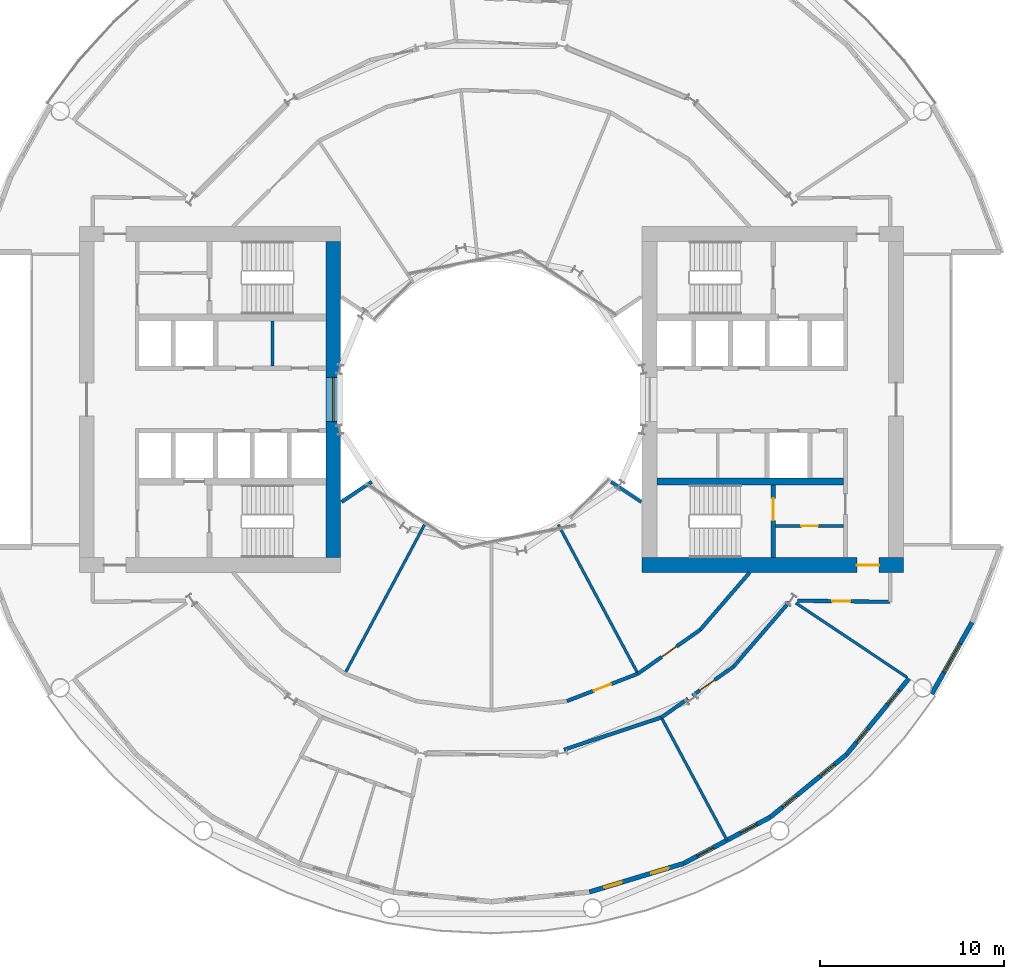
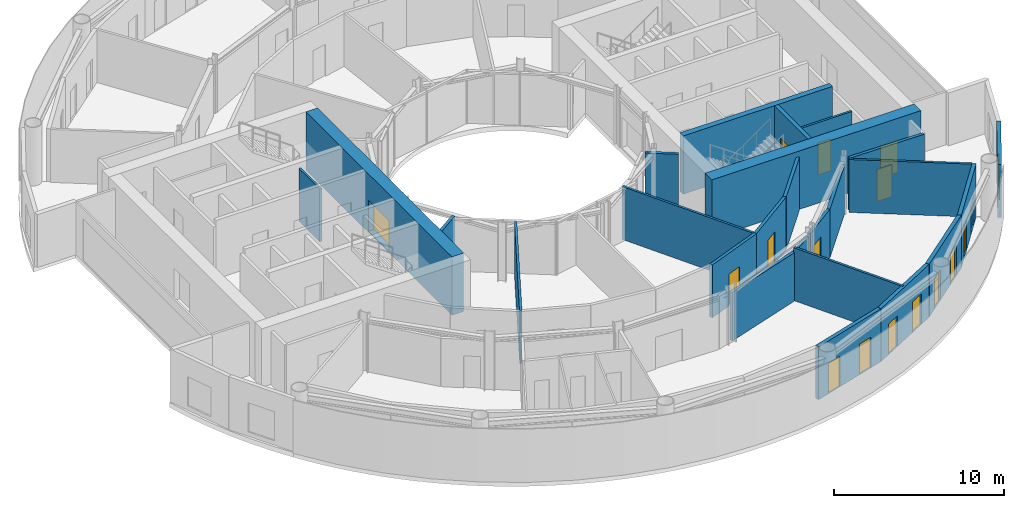
# One storey, part 12 of 19: 25 walls, 15 doors, 2 windows, 17 openings.
"""IFC4 building model written with IfcOpenShell, lengths in metres."""

import ifcopenshell
import ifcopenshell.guid

model = None  # the IFC model being written
_history = None  # IfcOwnerHistory: only IFC2X3 demands one
_inside = {}  # id of a spatial element -> (the spatial element, [elements in it])
_under = {}  # id of a project, library or spatial element -> (it, [spatial elements below it])
_declared = {}  # id of a project -> (the project, [libraries it declares])
_typed = {}  # id of a type object -> (the type object, [elements of that type])
_made_of = {}  # id of a material, layer set ... -> (it, [elements and type objects made of it])


def new_model(schema):
    """Start an empty IFC model of exactly this schema.

    Asked for "IFC4X3", IfcOpenShell would pick the latest addendum, in which some entities
    have other attributes; the version numbers below select the first issue.
    IFC2X3 requires an IfcOwnerHistory on every rooted entity: one is made here for all.
    """
    global model, _history
    if schema == "IFC4X3":
        model = ifcopenshell.file(schema_version=(4, 3, 0, 0))
    else:
        model = ifcopenshell.file(schema=schema)
    _inside.clear()
    _under.clear()
    _declared.clear()
    _typed.clear()
    _made_of.clear()
    _history = None
    if model.schema == "IFC2X3":
        org = make("IfcOrganization", Name="unknown")
        user = make(
            "IfcPersonAndOrganization",
            ThePerson=make("IfcPerson", FamilyName="unknown"),
            TheOrganization=org,
        )
        app = make(
            "IfcApplication",
            ApplicationDeveloper=org,
            Version="unknown",
            ApplicationFullName="unknown",
            ApplicationIdentifier="unknown",
        )
        _history = make(
            "IfcOwnerHistory",
            OwningUser=user,
            OwningApplication=app,
            ChangeAction="ADDED",
            CreationDate=0,
        )
    return model


def make(cls, **values):
    """One entity of the class cls with the attributes given. An attribute that is None is left unset."""
    return model.create_entity(
        cls, **{name: value for name, value in values.items() if value is not None}
    )


def rooted(cls, **values):
    """An entity with a GlobalId (a new one), such as an element, a storey or a relation."""
    return make(cls, GlobalId=ifcopenshell.guid.new(), OwnerHistory=_history, **values)


def si_unit(unit_type, name, prefix=None):
    """IfcSIUnit, for example si_unit("LENGTHUNIT", "METRE", prefix="MILLI")."""
    return make("IfcSIUnit", UnitType=unit_type, Prefix=prefix, Name=name)


def assignment(units):
    """IfcUnitAssignment: the units of a project."""
    return None if units is None else make("IfcUnitAssignment", Units=units)


def point(xyz):
    """IfcCartesianPoint."""
    return None if xyz is None else make("IfcCartesianPoint", Coordinates=xyz)


def direction(xyz):
    """IfcDirection."""
    return None if xyz is None else make("IfcDirection", DirectionRatios=xyz)


def frame(location, z_axis=None, x_axis=None):
    """IfcAxis2Placement3D, a coordinate frame: its origin and axes. An axis left out is left unset."""
    return make(
        "IfcAxis2Placement3D",
        Location=point(location),
        Axis=direction(z_axis),
        RefDirection=direction(x_axis),
    )


def frame_2d(location, x_axis=None):
    """IfcAxis2Placement2D, a coordinate frame in the plane: its origin and x axis."""
    return make(
        "IfcAxis2Placement2D", Location=point(location), RefDirection=direction(x_axis)
    )


def origin():
    """The frame at (0, 0, 0) with its axes left unset."""
    return frame((0.0, 0.0, 0.0))


def place(relative_to, where):
    """IfcLocalPlacement: puts the frame where relative to a parent placement (None: the world)."""
    return make(
        "IfcLocalPlacement", PlacementRelTo=relative_to, RelativePlacement=where
    )


def context(
    kind, dimensions, precision=None, world=None, true_north=None, identifier=None
):
    """IfcGeometricRepresentationContext, for example the 3D "Model" context."""
    return make(
        "IfcGeometricRepresentationContext",
        ContextIdentifier=identifier,
        ContextType=kind,
        CoordinateSpaceDimension=dimensions,
        Precision=precision,
        WorldCoordinateSystem=world,
        TrueNorth=true_north,
    )


def subcontext(parent, identifier, kind, view, scale=None):
    """IfcGeometricRepresentationSubContext, for example "Body" below "Model"."""
    return make(
        "IfcGeometricRepresentationSubContext",
        ContextIdentifier=identifier,
        ContextType=kind,
        ParentContext=parent,
        TargetScale=scale,
        TargetView=view,
    )


def project(units=None, contexts=None):
    """IfcProject with its units and contexts."""
    return rooted(
        "IfcProject",
        Name="project",
        RepresentationContexts=contexts,
        UnitsInContext=assignment(units),
    )


def spatial(cls, under=None, at=None, **own):
    """A site, building, storey or space (cls), placed at a placement, below another one or the project."""
    s = rooted(cls, ObjectPlacement=at, **own)
    if under is not None:
        _under.setdefault(under.id(), (under, []))[1].append(s)
    return s


def profile(cls, at=None, kind="AREA", **sizes):
    """A parametric profile (cls). Its sizes go by their IFC names, for example OverallWidth=200.0."""
    return make(cls, ProfileType=kind, Position=at, **sizes)


def rectangle(**sizes):
    """IfcRectangleProfileDef."""
    return profile("IfcRectangleProfileDef", **sizes)


def extrude(swept, where, along, depth):
    """IfcExtrudedAreaSolid: the profile swept, set in the frame where, extruded along a direction by depth."""
    return make(
        "IfcExtrudedAreaSolid",
        SweptArea=swept,
        Position=where,
        ExtrudedDirection=direction(along),
        Depth=depth,
    )


def shape(context_of_items, identifier, shape_type, items):
    """IfcShapeRepresentation: the items that make up one representation, for example the "Body"."""
    return make(
        "IfcShapeRepresentation",
        ContextOfItems=context_of_items,
        RepresentationIdentifier=identifier,
        RepresentationType=shape_type,
        Items=items,
    )


def material(Name=None, Category=None):
    """IfcMaterial."""
    return make("IfcMaterial", Name=Name, Category=Category)


def layer(
    of_material, thickness, ventilated=None, Name=None, Category=None, Priority=None
):
    """IfcMaterialLayer: one layer of a wall or slab, of a material (None: an air gap)."""
    return make(
        "IfcMaterialLayer",
        Material=of_material,
        LayerThickness=thickness,
        IsVentilated=ventilated,
        Name=Name,
        Category=Category,
        Priority=Priority,
    )


def layer_set(layers, Name=None):
    """IfcMaterialLayerSet."""
    return make("IfcMaterialLayerSet", MaterialLayers=layers, LayerSetName=Name)


def made_of(thing, what):
    """Note that an element or type object is made of a material, layer set ...; save() writes the relation."""
    if what is not None:
        _made_of.setdefault(what.id(), (what, []))[1].append(thing)
    return thing


def type_object(cls, material=None, **own):
    """A type object (cls), such as IfcWallType, which elements share."""
    return made_of(rooted(cls, **own), material)


def element(
    cls,
    number,
    at=None,
    inside=None,
    cuts=None,
    type_object=None,
    material=None,
    context=None,
    identifier="Body",
    shape_type=None,
    held_by="IfcProductDefinitionShape",
    body=None,
    shapes=None,
    **own,
):
    """One element of the class cls, such as IfcWall. Its Tag is "e" and its number.

    at: its placement. inside: the storey or other place that contains it. cuts: it is an
    opening in that element (IfcRelVoidsElement). A single representation is given by context,
    identifier, shape_type and body (its items); several are given by shapes. held_by: the class
    of the entity that holds the representations. save() writes the other relations.
    """
    e = rooted(cls, Tag="e%d" % number, ObjectPlacement=at, **own)
    if body is not None:
        shapes = [shape(context, identifier, shape_type, body)]
    if shapes is not None:
        e.Representation = make(held_by, Representations=shapes)
    if inside is not None:
        _inside.setdefault(inside.id(), (inside, []))[1].append(e)
    if cuts is not None:
        rooted(
            "IfcRelVoidsElement", RelatingBuildingElement=cuts, RelatedOpeningElement=e
        )
    if type_object is not None:
        _typed.setdefault(type_object.id(), (type_object, []))[1].append(e)
    return made_of(e, material)


def fill(opening, filler):
    """IfcRelFillsElement: the door or window that sits in an opening."""
    return rooted(
        "IfcRelFillsElement",
        RelatingOpeningElement=opening,
        RelatedBuildingElement=filler,
    )


def aggregate(whole, parts):
    """IfcRelAggregates: a whole, such as a stair, and the parts it consists of."""
    return rooted("IfcRelAggregates", RelatingObject=whole, RelatedObjects=parts)


def save(model, path):
    """Write the relations noted so far, then the file.

    IfcRelAggregates (storeys below a building ...), IfcRelContainedInSpatialStructure (elements
    in a storey), IfcRelDefinesByType, IfcRelAssociatesMaterial and IfcRelDeclares: one each for
    every whole, place, type object, material and project.
    """
    for whole, parts in _under.values():
        aggregate(whole, parts)
    for where, things in _inside.values():
        rooted(
            "IfcRelContainedInSpatialStructure",
            RelatedElements=things,
            RelatingStructure=where,
        )
    for kind, things in _typed.values():
        rooted("IfcRelDefinesByType", RelatedObjects=things, RelatingType=kind)
    for what, things in _made_of.values():
        rooted("IfcRelAssociatesMaterial", RelatedObjects=things, RelatingMaterial=what)
    for by, libraries in _declared.values():
        rooted("IfcRelDeclares", RelatingContext=by, RelatedDefinitions=libraries)
    model.write(path)


model = new_model("IFC4")

# Units and contexts
model_context = context("Model", 3, precision=1e-05, world=origin(), true_north=direction((0.0, 1.0)))
body_context = subcontext(model_context, "Body", "Model", "MODEL_VIEW")
ifc_project = project(units=[si_unit("LENGTHUNIT", "METRE"), si_unit("AREAUNIT", "SQUARE_METRE"), si_unit("VOLUMEUNIT", "CUBIC_METRE"), si_unit("PLANEANGLEUNIT", "RADIAN"), si_unit("MASSUNIT", "GRAM", prefix="KILO")], contexts=[model_context])

# Site, building, storey
site_placement = place(None, origin())
site = spatial("IfcSite", under=ifc_project, at=site_placement, CompositionType="ELEMENT")
building_placement = place(site_placement, origin())
building = spatial("IfcBuilding", under=site, at=building_placement, Name="Maasbend Ring Residences", CompositionType="ELEMENT")
storey_placement = place(building_placement, frame((0.0, 0.0, 53.300048828125)))
storey = spatial("IfcBuildingStorey", under=building, at=storey_placement, Name="L15", CompositionType="ELEMENT", Elevation=53.300048828125)

# Wall, opening, door
ifc_material_1 = material(Name="Concrete C70/85", Category="concrete")
ifc_layer_1 = layer(ifc_material_1, 0.25)
ifc_layer_set_1 = layer_set([ifc_layer_1], Name="Concrete C70/85")
wall_type_1 = type_object("IfcWallType", Name="CORE WALL 250 C70/85", PredefinedType="SHEAR", material=ifc_layer_set_1)
wall_1_placement = place(storey_placement, frame((15.324951171875, -8.60009765625, 0.0), z_axis=(0.0, 0.0, 1.0), x_axis=(0.0, 1.0, 0.0)))
wall_1 = element("IfcWall", 1, at=wall_1_placement, inside=storey, type_object=wall_type_1, Name="L15 core E wall STES", PredefinedType="SHEAR", context=body_context, shape_type="SweptSolid", body=[
    extrude(rectangle(XDim=3.9501953125, YDim=0.25, at=frame_2d((1.97509765625, 0.0))), origin(), (0.0, 0.0, 1.0), 4.199951171875),
])
opening_1_placement = place(wall_1_placement, frame((2.02490234375, 0.0, 0.0)))
opening_1 = element("IfcOpeningElement", 2, at=opening_1_placement, cuts=wall_1, Name="Opening D-E1511", PredefinedType="OPENING", context=body_context, shape_type="SweptSolid", body=[
    extrude(rectangle(XDim=1.199951171875, YDim=2.300048828125, at=frame_2d((0.60009765625, 1.14990234375))), frame((0.0, 0.135009765625, 0.0), z_axis=(0.0, -1.0, 0.0), x_axis=(1.0, 0.0, 0.0)), (0.0, 0.0, 1.0), 0.27001953125),
])
ifc_material_2 = material(Name="Steel, powder coated", Category="steel")
door_type_1 = type_object("IfcDoorType", Name="STAIR DOOR 1200 X 2300 FD60", OperationType="NOTDEFINED", PredefinedType="DOOR", material=ifc_material_2)
door_1_placement = place(opening_1_placement, origin())
door_1 = element("IfcDoor", 3, at=door_1_placement, inside=storey, type_object=door_type_1, Name="Stair door ST-E L15", OperationType="SINGLE_SWING_LEFT", OverallHeight=2.300048828125, OverallWidth=1.199951171875, PredefinedType="DOOR", context=body_context, shape_type="SweptSolid", body=[
    extrude(rectangle(XDim=1.199951171875, YDim=2.300048828125, at=frame_2d((0.60009765625, 1.14990234375))), frame((0.0, 0.02490234375, 0.0), z_axis=(0.0, -1.0, 0.0), x_axis=(1.0, 0.0, 0.0)), (0.0, 0.0, 1.0), 0.050048828125),
])
fill(opening_1, door_1)

# Wall
ifc_material_3 = material(Name="Concrete C70/85", Category="concrete")
ifc_layer_2 = layer(ifc_material_3, 0.375)
ifc_layer_set_2 = layer_set([ifc_layer_2], Name="Concrete C70/85")
wall_type_2 = type_object("IfcWallType", Name="CORE WALL 375 C70/85", PredefinedType="SHEAR", material=ifc_layer_set_2)
wall_2_placement = place(storey_placement, frame((9.0, -4.46240234375, 0.0), z_axis=(0.0, 0.0, 1.0), x_axis=(1.0, 0.0, 0.0)))
element("IfcWall", 4, at=wall_2_placement, inside=storey, type_object=wall_type_2, Name="L15 core E wall BS", PredefinedType="SHEAR", context=body_context, shape_type="SweptSolid", body=[
    extrude(rectangle(XDim=10.14990234375, YDim=0.375, at=frame_2d((5.074951171875, 0.0))), origin(), (0.0, 0.0, 1.0), 4.199951171875),
])

# Wall, opening, door
ifc_material_4 = material(Name="Concrete C70/85", Category="concrete")
ifc_layer_3 = layer(ifc_material_4, 0.800048828125)
ifc_layer_set_3 = layer_set([ifc_layer_3], Name="Concrete C70/85")
wall_type_3 = type_object("IfcWallType", Name="CORE WALL 800 C70/85", PredefinedType="SHEAR", material=ifc_layer_set_3)
wall_3_placement = place(storey_placement, frame((8.199951171875, -9.0, 0.0), z_axis=(0.0, 0.0, 1.0), x_axis=(1.0, 0.0, 0.0)))
wall_3 = element("IfcWall", 5, at=wall_3_placement, inside=storey, type_object=wall_type_3, Name="L15 core E wall PS", PredefinedType="SHEAR", context=body_context, shape_type="SweptSolid", body=[
    extrude(rectangle(XDim=14.199951171875, YDim=0.800048828125, at=frame_2d((7.10009765625, 0.0))), origin(), (0.0, 0.0, 1.0), 4.199951171875),
])
opening_2_placement = place(wall_3_placement, frame((11.675048828125, 0.0, 0.0)))
opening_2 = element("IfcOpeningElement", 6, at=opening_2_placement, cuts=wall_3, Name="Opening D-E1515", PredefinedType="OPENING", context=body_context, shape_type="SweptSolid", body=[
    extrude(rectangle(XDim=1.199951171875, YDim=2.300048828125, at=frame_2d((0.60009765625, 1.14990234375))), frame((0.0, 0.41015625, 0.0), z_axis=(0.0, -1.0, 0.0), x_axis=(1.0, 0.0, 0.0)), (0.0, 0.0, 1.0), 0.820068359375),
])
ifc_material_5 = material(Name="Steel, powder coated", Category="steel")
door_type_2 = type_object("IfcDoorType", Name="CORRIDOR DOOR 1200 X 2300 FD30S", OperationType="NOTDEFINED", PredefinedType="DOOR", material=ifc_material_5)
door_2_placement = place(opening_2_placement, origin())
door_2 = element("IfcDoor", 7, at=door_2_placement, inside=storey, type_object=door_type_2, Name="Corridor door L15", OperationType="SINGLE_SWING_LEFT", OverallHeight=2.300048828125, OverallWidth=1.199951171875, PredefinedType="DOOR", context=body_context, shape_type="SweptSolid", body=[
    extrude(rectangle(XDim=1.199951171875, YDim=2.300048828125, at=frame_2d((0.60009765625, 1.14990234375))), frame((0.0, 0.02490234375, 0.0), z_axis=(0.0, -1.0, 0.0), x_axis=(1.0, 0.0, 0.0)), (0.0, 0.0, 1.0), 0.050048828125),
])
fill(opening_2, door_2)

# Wall, opening, window
wall_4_placement = place(storey_placement, frame((-8.60009765625, 8.60009765625, 0.0), z_axis=(0.0, 0.0, 1.0), x_axis=(0.0, -1.0, 0.0)))
wall_4 = element("IfcWall", 8, at=wall_4_placement, inside=storey, type_object=wall_type_3, Name="L15 core W wall PIN", PredefinedType="SHEAR", context=body_context, shape_type="SweptSolid", body=[
    extrude(rectangle(XDim=17.2001953125, YDim=0.800048828125, at=frame_2d((8.60009765625, 0.0))), origin(), (0.0, 0.0, 1.0), 4.199951171875),
])
opening_3_placement = place(wall_4_placement, frame((7.39990234375, 0.0, 0.10009765625)))
opening_3 = element("IfcOpeningElement", 9, at=opening_3_placement, cuts=wall_4, Name="Opening W-W1501", PredefinedType="OPENING", context=body_context, shape_type="SweptSolid", body=[
    extrude(rectangle(XDim=2.39990234375, YDim=2.199951171875, at=frame_2d((1.199951171875, 1.10009765625))), frame((0.0, 0.41015625, 0.0), z_axis=(0.0, -1.0, 0.0), x_axis=(1.0, 0.0, 0.0)), (0.0, 0.0, 1.0), 0.820068359375),
])
ifc_material_6 = material(Name="Aluminium frame and clear glass", Category="aluminium")
window_type_1 = type_object("IfcWindowType", Name="FIXED WINDOW 2400 X 2200", PartitioningType="SINGLE_PANEL", PredefinedType="WINDOW", material=ifc_material_6)
window_1_placement = place(opening_3_placement, origin())
window_1 = element("IfcWindow", 10, at=window_1_placement, inside=storey, type_object=window_type_1, Name="Lobby window L15", OverallHeight=2.199951171875, OverallWidth=2.39990234375, PartitioningType="SINGLE_PANEL", PredefinedType="WINDOW", context=body_context, shape_type="SweptSolid", body=[
    extrude(rectangle(XDim=2.39990234375, YDim=2.199951171875, at=frame_2d((1.199951171875, 1.10009765625))), frame((0.0, 0.030029296875, 0.0), z_axis=(0.0, -1.0, 0.0), x_axis=(1.0, 0.0, 0.0)), (0.0, 0.0, 1.0), 0.06005859375),
])
fill(opening_3, window_1)

# Wall
ifc_material_7 = material(Name="Concrete C30/37", Category="concrete")
ifc_layer_4 = layer(ifc_material_7, 0.199951171875)
ifc_layer_set_4 = layer_set([ifc_layer_4], Name="Concrete C30/37")
wall_type_4 = type_object("IfcWallType", Name="CORRIDOR WALL 200 CONCRETE", PredefinedType="PARTITIONING", material=ifc_layer_set_4)
wall_5_placement = place(storey_placement, frame((9.239013671875, -17.285888671875, 0.0), z_axis=(0.0, 0.0, 1.0), x_axis=(0.81766692021, 0.575691590693, 0.0)))
element("IfcWall", 11, at=wall_5_placement, inside=storey, type_object=wall_type_4, Name="U-L15-w007", PredefinedType="PARTITIONING", context=body_context, shape_type="SweptSolid", body=[
    extrude(rectangle(XDim=1.769775390625, YDim=0.199951171875, at=frame_2d((0.884765625, 0.0))), origin(), (0.0, 0.0, 1.0), 3.47998046875),
])

# Wall, opening, door
wall_6_placement = place(storey_placement, frame((10.93505859375, -16.091064453125, 0.0), z_axis=(0.0, 0.0, 1.0), x_axis=(0.817764243714, 0.575553335237, 0.0)))
wall_6 = element("IfcWall", 12, at=wall_6_placement, inside=storey, type_object=wall_type_4, Name="U-L15-w008", PredefinedType="PARTITIONING", context=body_context, shape_type="SweptSolid", body=[
    extrude(rectangle(XDim=2.724609375, YDim=0.199951171875, at=frame_2d((1.3623046875, 0.0))), origin(), (0.0, 0.0, 1.0), 3.47998046875),
])
opening_4_placement = place(wall_6_placement, frame((0.47509765625, 0.0, 0.0)))
opening_4 = element("IfcOpeningElement", 13, at=opening_4_placement, cuts=wall_6, Name="Opening D-1518", PredefinedType="OPENING", context=body_context, shape_type="SweptSolid", body=[
    extrude(rectangle(XDim=1.0, YDim=2.300048828125, at=frame_2d((0.5, 1.14990234375))), frame((0.0, 0.10986328125, 0.0), z_axis=(0.0, -1.0, 0.0), x_axis=(1.0, 0.0, 0.0)), (0.0, 0.0, 1.0), 0.219970703125),
])
ifc_material_8 = material(Name="Timber, painted", Category="wood")
door_type_3 = type_object("IfcDoorType", Name="ROOM DOOR 1000 X 2300", OperationType="NOTDEFINED", PredefinedType="DOOR", material=ifc_material_8)
door_3_placement = place(opening_4_placement, origin())
door_3 = element("IfcDoor", 14, at=door_3_placement, inside=storey, type_object=door_type_3, Name="D-1518", OperationType="SINGLE_SWING_LEFT", OverallHeight=2.300048828125, OverallWidth=1.0, PredefinedType="DOOR", context=body_context, shape_type="SweptSolid", body=[
    extrude(rectangle(XDim=1.0, YDim=2.300048828125, at=frame_2d((0.5, 1.14990234375))), frame((0.0, 0.02490234375, 0.0), z_axis=(0.0, -1.0, 0.0), x_axis=(1.0, 0.0, 0.0)), (0.0, 0.0, 1.0), 0.050048828125),
])
fill(opening_4, door_3)

# Walls
wall_7_placement = place(storey_placement, frame((13.1630859375, -14.52294921875, 0.0), z_axis=(0.0, 0.0, 1.0), x_axis=(0.653087281304, 0.757282644063, 0.0)))
element("IfcWall", 15, at=wall_7_placement, inside=storey, type_object=wall_type_4, Name="U-L15-w009", PredefinedType="PARTITIONING", context=body_context, shape_type="SweptSolid", body=[
    extrude(rectangle(XDim=4.64404296875, YDim=0.199951171875, at=frame_2d((2.322021484375, 0.0))), origin(), (0.0, 0.0, 1.0), 3.47998046875),
])
wall_8_placement = place(storey_placement, frame((3.94189453125, -19.035888671875, 0.0), z_axis=(0.0, 0.0, 1.0), x_axis=(0.949524538902, 0.313692763739, 0.0)))
element("IfcWall", 16, at=wall_8_placement, inside=storey, type_object=wall_type_4, Name="U-L15-w013", PredefinedType="PARTITIONING", context=body_context, shape_type="SweptSolid", body=[
    extrude(rectangle(XDim=5.57861328125, YDim=0.199951171875, at=frame_2d((2.789306640625, 0.0))), origin(), (0.0, 0.0, 1.0), 3.47998046875),
])

# Wall, opening, door
wall_9_placement = place(storey_placement, frame((4.10595703125, -16.39404296875, 0.0), z_axis=(0.0, 0.0, 1.0), x_axis=(0.932943640288, 0.360022449363, 0.0)))
wall_9 = element("IfcWall", 17, at=wall_9_placement, inside=storey, type_object=wall_type_4, Name="U-L15-w019", PredefinedType="PARTITIONING", context=body_context, shape_type="SweptSolid", body=[
    extrude(rectangle(XDim=4.138671875, YDim=0.199951171875, at=frame_2d((2.0693359375, 0.0))), origin(), (0.0, 0.0, 1.0), 3.800048828125),
])
opening_5_placement = place(wall_9_placement, frame((1.569091796875, 0.0, 0.0)))
opening_5 = element("IfcOpeningElement", 18, at=opening_5_placement, cuts=wall_9, Name="Opening D-1521", PredefinedType="OPENING", context=body_context, shape_type="SweptSolid", body=[
    extrude(rectangle(XDim=1.0, YDim=2.300048828125, at=frame_2d((0.5, 1.14990234375))), frame((0.0, 0.10986328125, 0.0), z_axis=(0.0, -1.0, 0.0), x_axis=(1.0, 0.0, 0.0)), (0.0, 0.0, 1.0), 0.219970703125),
])
door_4_placement = place(opening_5_placement, origin())
door_4 = element("IfcDoor", 19, at=door_4_placement, inside=storey, type_object=door_type_3, Name="D-1521", OperationType="SINGLE_SWING_RIGHT", OverallHeight=2.300048828125, OverallWidth=1.0, PredefinedType="DOOR", context=body_context, shape_type="SweptSolid", body=[
    extrude(rectangle(XDim=1.0, YDim=2.300048828125, at=frame_2d((0.5, 1.14990234375))), frame((0.0, 0.02490234375, 0.0), z_axis=(0.0, -1.0, 0.0), x_axis=(1.0, 0.0, 0.0)), (0.0, 0.0, 1.0), 0.050048828125),
])
fill(opening_5, door_4)

wall_10_placement = place(storey_placement, frame((7.967041015625, -14.904052734375, 0.0), z_axis=(0.0, 0.0, 1.0), x_axis=(0.817567680547, 0.575832517079, 0.0)))
wall_10 = element("IfcWall", 20, at=wall_10_placement, inside=storey, type_object=wall_type_4, Name="U-L15-w020", PredefinedType="PARTITIONING", context=body_context, shape_type="SweptSolid", body=[
    extrude(rectangle(XDim=4.13671875, YDim=0.199951171875, at=frame_2d((2.068359375, 0.0))), origin(), (0.0, 0.0, 1.0), 3.800048828125),
])
opening_6_placement = place(wall_10_placement, frame((1.568115234375, 0.0, 0.0)))
opening_6 = element("IfcOpeningElement", 21, at=opening_6_placement, cuts=wall_10, Name="Opening D-1522", PredefinedType="OPENING", context=body_context, shape_type="SweptSolid", body=[
    extrude(rectangle(XDim=1.0, YDim=2.300048828125, at=frame_2d((0.5, 1.14990234375))), frame((0.0, 0.10986328125, 0.0), z_axis=(0.0, -1.0, 0.0), x_axis=(1.0, 0.0, 0.0)), (0.0, 0.0, 1.0), 0.219970703125),
])
door_5_placement = place(opening_6_placement, origin())
door_5 = element("IfcDoor", 22, at=door_5_placement, inside=storey, type_object=door_type_3, Name="D-1522", OperationType="SINGLE_SWING_RIGHT", OverallHeight=2.300048828125, OverallWidth=1.0, PredefinedType="DOOR", context=body_context, shape_type="SweptSolid", body=[
    extrude(rectangle(XDim=1.0, YDim=2.300048828125, at=frame_2d((0.5, 1.14990234375))), frame((0.0, 0.02490234375, 0.0), z_axis=(0.0, -1.0, 0.0), x_axis=(1.0, 0.0, 0.0)), (0.0, 0.0, 1.0), 0.050048828125),
])
fill(opening_6, door_5)

# Wall
wall_11_placement = place(storey_placement, frame((11.34912109375, -12.52197265625, 0.0), z_axis=(0.0, 0.0, 1.0), x_axis=(0.653274518104, 0.757121129012, 0.0)))
element("IfcWall", 23, at=wall_11_placement, inside=storey, type_object=wall_type_4, Name="U-L15-w021", PredefinedType="PARTITIONING", context=body_context, shape_type="SweptSolid", body=[
    extrude(rectangle(XDim=4.12353515625, YDim=0.199951171875, at=frame_2d((2.061767578125, 0.0))), origin(), (0.0, 0.0, 1.0), 3.800048828125),
])

# Wall, opening, door
wall_12_placement = place(storey_placement, frame((16.636962890625, -10.93798828125, 0.0), z_axis=(0.0, 0.0, 1.0), x_axis=(0.99992425795, -0.012307654658, 0.0)))
wall_12 = element("IfcWall", 24, at=wall_12_placement, inside=storey, type_object=wall_type_4, Name="U-L15-w023", PredefinedType="PARTITIONING", context=body_context, shape_type="SweptSolid", body=[
    extrude(rectangle(XDim=5.03857421875, YDim=0.199951171875, at=frame_2d((2.519287109375, 0.0))), origin(), (0.0, 0.0, 1.0), 3.800048828125),
])
opening_7_placement = place(wall_12_placement, frame((1.884033203125, 0.0, 0.0)))
opening_7 = element("IfcOpeningElement", 25, at=opening_7_placement, cuts=wall_12, Name="Opening D-1525", PredefinedType="OPENING", context=body_context, shape_type="SweptSolid", body=[
    extrude(rectangle(XDim=1.0, YDim=2.300048828125, at=frame_2d((0.5, 1.14990234375))), frame((0.0, 0.10986328125, 0.0), z_axis=(0.0, -1.0, 0.0), x_axis=(1.0, 0.0, 0.0)), (0.0, 0.0, 1.0), 0.219970703125),
])
door_6_placement = place(opening_7_placement, origin())
door_6 = element("IfcDoor", 26, at=door_6_placement, inside=storey, type_object=door_type_3, Name="D-1525", OperationType="SINGLE_SWING_LEFT", OverallHeight=2.300048828125, OverallWidth=1.0, PredefinedType="DOOR", context=body_context, shape_type="SweptSolid", body=[
    extrude(rectangle(XDim=1.0, YDim=2.300048828125, at=frame_2d((0.5, 1.14990234375))), frame((0.0, 0.02490234375, 0.0), z_axis=(0.0, -1.0, 0.0), x_axis=(1.0, 0.0, 0.0)), (0.0, 0.0, 1.0), 0.050048828125),
])
fill(opening_7, door_6)

# Wall, openings, doors
ifc_material_9 = material(Name="Aluminium clad insulated panel", Category="aluminium")
ifc_layer_5 = layer(ifc_material_9, 0.25)
ifc_layer_set_5 = layer_set([ifc_layer_5], Name="EW-GL")
wall_type_5 = type_object("IfcWallType", Name="EW-GL", PredefinedType="SOLIDWALL", material=ifc_layer_set_5)
wall_13_placement = place(storey_placement, frame((5.325927734375, -26.77490234375, 0.0), z_axis=(0.0, 0.0, 1.0), x_axis=(0.956965678721, 0.290201119486, 0.0)))
wall_13 = element("IfcWall", 27, at=wall_13_placement, inside=storey, type_object=wall_type_5, Name="External wall S07", PredefinedType="SOLIDWALL", context=body_context, shape_type="SweptSolid", body=[
    extrude(rectangle(XDim=5.351318359375, YDim=0.25, at=frame_2d((2.67578125, 0.0))), origin(), (0.0, 0.0, 1.0), 3.800048828125),
])
opening_8_placement = place(wall_13_placement, frame((0.841064453125, 0.0, 0.0)))
opening_8 = element("IfcOpeningElement", 28, at=opening_8_placement, cuts=wall_13, Name="Opening D-LG", PredefinedType="OPENING", context=body_context, shape_type="SweptSolid", body=[
    extrude(rectangle(XDim=1.0, YDim=2.199951171875, at=frame_2d((0.5, 1.10009765625))), frame((0.0, 0.135009765625, 0.0), z_axis=(0.0, -1.0, 0.0), x_axis=(1.0, 0.0, 0.0)), (0.0, 0.0, 1.0), 0.27001953125),
])
opening_9_placement = place(wall_13_placement, frame((3.510498046875, 0.0, 0.0)))
opening_9 = element("IfcOpeningElement", 29, at=opening_9_placement, cuts=wall_13, Name="Opening D-LG", PredefinedType="OPENING", context=body_context, shape_type="SweptSolid", body=[
    extrude(rectangle(XDim=1.0, YDim=2.199951171875, at=frame_2d((0.5, 1.10009765625))), frame((0.0, 0.135009765625, 0.0), z_axis=(0.0, -1.0, 0.0), x_axis=(1.0, 0.0, 0.0)), (0.0, 0.0, 1.0), 0.27001953125),
])
ifc_material_10 = material(Name="Aluminium and clear glass", Category="aluminium")
door_type_4 = type_object("IfcDoorType", Name="D-LG", OperationType="SINGLE_SWING_LEFT", PredefinedType="DOOR", material=ifc_material_10)
door_7_placement = place(opening_8_placement, origin())
door_7 = element("IfcDoor", 30, at=door_7_placement, inside=storey, type_object=door_type_4, Name="Loggia door S13", OperationType="SINGLE_SWING_LEFT", OverallHeight=2.199951171875, OverallWidth=1.0, PredefinedType="DOOR", context=body_context, shape_type="SweptSolid", body=[
    extrude(rectangle(XDim=1.0, YDim=2.199951171875, at=frame_2d((0.5, 1.10009765625))), frame((0.0, 0.02490234375, 0.0), z_axis=(0.0, -1.0, 0.0), x_axis=(1.0, 0.0, 0.0)), (0.0, 0.0, 1.0), 0.050048828125),
])
fill(opening_8, door_7)
door_8_placement = place(opening_9_placement, origin())
door_8 = element("IfcDoor", 31, at=door_8_placement, inside=storey, type_object=door_type_4, Name="Loggia door S14", OperationType="SINGLE_SWING_LEFT", OverallHeight=2.199951171875, OverallWidth=1.0, PredefinedType="DOOR", context=body_context, shape_type="SweptSolid", body=[
    extrude(rectangle(XDim=1.0, YDim=2.199951171875, at=frame_2d((0.5, 1.10009765625))), frame((0.0, 0.02490234375, 0.0), z_axis=(0.0, -1.0, 0.0), x_axis=(1.0, 0.0, 0.0)), (0.0, 0.0, 1.0), 0.050048828125),
])
fill(opening_9, door_8)

wall_14_placement = place(storey_placement, frame((10.447021484375, -25.221923828125, 0.0), z_axis=(0.0, 0.0, 1.0), x_axis=(0.881915646801, 0.471407246368, 0.0)))
wall_14 = element("IfcWall", 32, at=wall_14_placement, inside=storey, type_object=wall_type_5, Name="External wall S08", PredefinedType="SOLIDWALL", context=body_context, shape_type="SweptSolid", body=[
    extrude(rectangle(XDim=5.35205078125, YDim=0.25, at=frame_2d((2.676025390625, 0.0))), origin(), (0.0, 0.0, 1.0), 3.800048828125),
])
opening_10_placement = place(wall_14_placement, frame((0.841064453125, 0.0, 0.0)))
opening_10 = element("IfcOpeningElement", 33, at=opening_10_placement, cuts=wall_14, Name="Opening D-LG", PredefinedType="OPENING", context=body_context, shape_type="SweptSolid", body=[
    extrude(rectangle(XDim=1.0, YDim=2.199951171875, at=frame_2d((0.5, 1.10009765625))), frame((0.0, 0.135009765625, 0.0), z_axis=(0.0, -1.0, 0.0), x_axis=(1.0, 0.0, 0.0)), (0.0, 0.0, 1.0), 0.27001953125),
])
opening_11_placement = place(wall_14_placement, frame((3.510498046875, 0.0, 0.0)))
opening_11 = element("IfcOpeningElement", 34, at=opening_11_placement, cuts=wall_14, Name="Opening D-LG", PredefinedType="OPENING", context=body_context, shape_type="SweptSolid", body=[
    extrude(rectangle(XDim=1.0, YDim=2.199951171875, at=frame_2d((0.5, 1.10009765625))), frame((0.0, 0.135009765625, 0.0), z_axis=(0.0, -1.0, 0.0), x_axis=(1.0, 0.0, 0.0)), (0.0, 0.0, 1.0), 0.27001953125),
])
door_9_placement = place(opening_10_placement, origin())
door_9 = element("IfcDoor", 35, at=door_9_placement, inside=storey, type_object=door_type_4, Name="Loggia door S15", OperationType="SINGLE_SWING_LEFT", OverallHeight=2.199951171875, OverallWidth=1.0, PredefinedType="DOOR", context=body_context, shape_type="SweptSolid", body=[
    extrude(rectangle(XDim=1.0, YDim=2.199951171875, at=frame_2d((0.5, 1.10009765625))), frame((0.0, 0.02490234375, 0.0), z_axis=(0.0, -1.0, 0.0), x_axis=(1.0, 0.0, 0.0)), (0.0, 0.0, 1.0), 0.050048828125),
])
fill(opening_10, door_9)
door_10_placement = place(opening_11_placement, origin())
door_10 = element("IfcDoor", 36, at=door_10_placement, inside=storey, type_object=door_type_4, Name="Loggia door S16", OperationType="SINGLE_SWING_LEFT", OverallHeight=2.199951171875, OverallWidth=1.0, PredefinedType="DOOR", context=body_context, shape_type="SweptSolid", body=[
    extrude(rectangle(XDim=1.0, YDim=2.199951171875, at=frame_2d((0.5, 1.10009765625))), frame((0.0, 0.02490234375, 0.0), z_axis=(0.0, -1.0, 0.0), x_axis=(1.0, 0.0, 0.0)), (0.0, 0.0, 1.0), 0.050048828125),
])
fill(opening_11, door_10)

wall_15_placement = place(storey_placement, frame((15.1669921875, -22.698974609375, 0.0), z_axis=(0.0, 0.0, 1.0), x_axis=(0.773019449054, 0.634382322723, 0.0)))
wall_15 = element("IfcWall", 37, at=wall_15_placement, inside=storey, type_object=wall_type_5, Name="External wall S09", PredefinedType="SOLIDWALL", context=body_context, shape_type="SweptSolid", body=[
    extrude(rectangle(XDim=5.351806640625, YDim=0.25, at=frame_2d((2.67578125, 0.0))), origin(), (0.0, 0.0, 1.0), 3.800048828125),
])
opening_12_placement = place(wall_15_placement, frame((0.841064453125, 0.0, 0.0)))
opening_12 = element("IfcOpeningElement", 38, at=opening_12_placement, cuts=wall_15, Name="Opening D-LG", PredefinedType="OPENING", context=body_context, shape_type="SweptSolid", body=[
    extrude(rectangle(XDim=1.0, YDim=2.199951171875, at=frame_2d((0.5, 1.10009765625))), frame((0.0, 0.135009765625, 0.0), z_axis=(0.0, -1.0, 0.0), x_axis=(1.0, 0.0, 0.0)), (0.0, 0.0, 1.0), 0.27001953125),
])
opening_13_placement = place(wall_15_placement, frame((3.510498046875, 0.0, 0.0)))
opening_13 = element("IfcOpeningElement", 39, at=opening_13_placement, cuts=wall_15, Name="Opening D-LG", PredefinedType="OPENING", context=body_context, shape_type="SweptSolid", body=[
    extrude(rectangle(XDim=1.0, YDim=2.199951171875, at=frame_2d((0.5, 1.10009765625))), frame((0.0, 0.135009765625, 0.0), z_axis=(0.0, -1.0, 0.0), x_axis=(1.0, 0.0, 0.0)), (0.0, 0.0, 1.0), 0.27001953125),
])
door_11_placement = place(opening_12_placement, origin())
door_11 = element("IfcDoor", 40, at=door_11_placement, inside=storey, type_object=door_type_4, Name="Loggia door S17", OperationType="SINGLE_SWING_LEFT", OverallHeight=2.199951171875, OverallWidth=1.0, PredefinedType="DOOR", context=body_context, shape_type="SweptSolid", body=[
    extrude(rectangle(XDim=1.0, YDim=2.199951171875, at=frame_2d((0.5, 1.10009765625))), frame((0.0, 0.02490234375, 0.0), z_axis=(0.0, -1.0, 0.0), x_axis=(1.0, 0.0, 0.0)), (0.0, 0.0, 1.0), 0.050048828125),
])
fill(opening_12, door_11)
door_12_placement = place(opening_13_placement, origin())
door_12 = element("IfcDoor", 41, at=door_12_placement, inside=storey, type_object=door_type_4, Name="Loggia door S18", OperationType="SINGLE_SWING_LEFT", OverallHeight=2.199951171875, OverallWidth=1.0, PredefinedType="DOOR", context=body_context, shape_type="SweptSolid", body=[
    extrude(rectangle(XDim=1.0, YDim=2.199951171875, at=frame_2d((0.5, 1.10009765625))), frame((0.0, 0.02490234375, 0.0), z_axis=(0.0, -1.0, 0.0), x_axis=(1.0, 0.0, 0.0)), (0.0, 0.0, 1.0), 0.050048828125),
])
fill(opening_13, door_12)

wall_16_placement = place(storey_placement, frame((19.303955078125, -19.303955078125, 0.0), z_axis=(0.0, 0.0, 1.0), x_axis=(0.634382322723, 0.773019449054, 0.0)))
wall_16 = element("IfcWall", 42, at=wall_16_placement, inside=storey, type_object=wall_type_5, Name="External wall S10", PredefinedType="SOLIDWALL", context=body_context, shape_type="SweptSolid", body=[
    extrude(rectangle(XDim=5.351806640625, YDim=0.25, at=frame_2d((2.67578125, 0.0))), origin(), (0.0, 0.0, 1.0), 3.800048828125),
])
opening_14_placement = place(wall_16_placement, frame((0.841064453125, 0.0, 0.0)))
opening_14 = element("IfcOpeningElement", 43, at=opening_14_placement, cuts=wall_16, Name="Opening D-LG", PredefinedType="OPENING", context=body_context, shape_type="SweptSolid", body=[
    extrude(rectangle(XDim=1.0, YDim=2.199951171875, at=frame_2d((0.5, 1.10009765625))), frame((0.0, 0.135009765625, 0.0), z_axis=(0.0, -1.0, 0.0), x_axis=(1.0, 0.0, 0.0)), (0.0, 0.0, 1.0), 0.27001953125),
])
opening_15_placement = place(wall_16_placement, frame((3.510498046875, 0.0, 0.0)))
opening_15 = element("IfcOpeningElement", 44, at=opening_15_placement, cuts=wall_16, Name="Opening D-LG", PredefinedType="OPENING", context=body_context, shape_type="SweptSolid", body=[
    extrude(rectangle(XDim=1.0, YDim=2.199951171875, at=frame_2d((0.5, 1.10009765625))), frame((0.0, 0.135009765625, 0.0), z_axis=(0.0, -1.0, 0.0), x_axis=(1.0, 0.0, 0.0)), (0.0, 0.0, 1.0), 0.27001953125),
])
door_13_placement = place(opening_14_placement, origin())
door_13 = element("IfcDoor", 45, at=door_13_placement, inside=storey, type_object=door_type_4, Name="Loggia door S19", OperationType="SINGLE_SWING_LEFT", OverallHeight=2.199951171875, OverallWidth=1.0, PredefinedType="DOOR", context=body_context, shape_type="SweptSolid", body=[
    extrude(rectangle(XDim=1.0, YDim=2.199951171875, at=frame_2d((0.5, 1.10009765625))), frame((0.0, 0.02490234375, 0.0), z_axis=(0.0, -1.0, 0.0), x_axis=(1.0, 0.0, 0.0)), (0.0, 0.0, 1.0), 0.050048828125),
])
fill(opening_14, door_13)
door_14_placement = place(opening_15_placement, origin())
door_14 = element("IfcDoor", 46, at=door_14_placement, inside=storey, type_object=door_type_4, Name="Loggia door S20", OperationType="SINGLE_SWING_LEFT", OverallHeight=2.199951171875, OverallWidth=1.0, PredefinedType="DOOR", context=body_context, shape_type="SweptSolid", body=[
    extrude(rectangle(XDim=1.0, YDim=2.199951171875, at=frame_2d((0.5, 1.10009765625))), frame((0.0, 0.02490234375, 0.0), z_axis=(0.0, -1.0, 0.0), x_axis=(1.0, 0.0, 0.0)), (0.0, 0.0, 1.0), 0.050048828125),
])
fill(opening_15, door_14)

# Wall, opening, window
ifc_material_11 = material(Name="Aluminium clad insulated panel", Category="aluminium")
ifc_layer_6 = layer(ifc_material_11, 0.25)
ifc_layer_set_6 = layer_set([ifc_layer_6], Name="EW-HORN")
wall_type_6 = type_object("IfcWallType", Name="EW-HORN", PredefinedType="SOLIDWALL", material=ifc_layer_set_6)
wall_17_placement = place(storey_placement, frame((23.946044921875, -16.0, 0.0), z_axis=(0.0, 0.0, 1.0), x_axis=(0.489696356642, 0.871893042919, 0.0)))
wall_17 = element("IfcWall", 47, at=wall_17_placement, inside=storey, type_object=wall_type_6, Name="Horn wall 2.1", PredefinedType="SOLIDWALL", context=body_context, shape_type="SweptSolid", body=[
    extrude(rectangle(XDim=4.45361328125, YDim=0.25, at=frame_2d((2.226806640625, 0.0))), origin(), (0.0, 0.0, 1.0), 3.800048828125),
])
opening_16_placement = place(wall_17_placement, frame((1.32666015625, 0.0, 0.300048828125)))
opening_16 = element("IfcOpeningElement", 48, at=opening_16_placement, cuts=wall_17, Name="Opening W-BX", PredefinedType="OPENING", context=body_context, shape_type="SweptSolid", body=[
    extrude(rectangle(XDim=1.800048828125, YDim=2.10009765625, at=frame_2d((0.89990234375, 1.050048828125))), frame((0.0, 0.135009765625, 0.0), z_axis=(0.0, -1.0, 0.0), x_axis=(1.0, 0.0, 0.0)), (0.0, 0.0, 1.0), 0.27001953125),
])
ifc_material_12 = material(Name="Aluminium and clear glass", Category="aluminium")
window_type_2 = type_object("IfcWindowType", Name="W-BX", PartitioningType="DOUBLE_PANEL_VERTICAL", PredefinedType="WINDOW", material=ifc_material_12)
window_2_placement = place(opening_16_placement, origin())
window_2 = element("IfcWindow", 49, at=window_2_placement, inside=storey, type_object=window_type_2, Name="Horn window 2.1", OverallHeight=2.10009765625, OverallWidth=1.800048828125, PartitioningType="SINGLE_PANEL", PredefinedType="WINDOW", context=body_context, shape_type="SweptSolid", body=[
    extrude(rectangle(XDim=1.800048828125, YDim=2.10009765625, at=frame_2d((0.89990234375, 1.050048828125))), frame((0.0, 0.030029296875, 0.0), z_axis=(0.0, -1.0, 0.0), x_axis=(1.0, 0.0, 0.0)), (0.0, 0.0, 1.0), 0.06005859375),
])
fill(opening_16, window_2)

# Wall, opening, door
ifc_material_13 = material(Name="Gypsum board on steel studs", Category="steel")
ifc_layer_7 = layer(ifc_material_13, 0.14990234375)
ifc_layer_set_7 = layer_set([ifc_layer_7], Name="PARTITION 150 EI 60")
wall_type_7 = type_object("IfcWallType", Name="PARTITION 150 EI 60", PredefinedType="PARTITIONING", material=ifc_layer_set_7)
wall_18_placement = place(storey_placement, frame((15.449951171875, -6.875, 0.0), z_axis=(0.0, 0.0, 1.0), x_axis=(1.0, 0.0, 0.0)))
wall_18 = element("IfcWall", 50, at=wall_18_placement, inside=storey, type_object=wall_type_7, Name="L15 core E wall RHS", PredefinedType="PARTITIONING", context=body_context, shape_type="SweptSolid", body=[
    extrude(rectangle(XDim=3.699951171875, YDim=0.14990234375, at=frame_2d((1.85009765625, 0.0))), origin(), (0.0, 0.0, 1.0), 3.800048828125),
])
opening_17_placement = place(wall_18_placement, frame((1.39990234375, 0.0, 0.0)))
opening_17 = element("IfcOpeningElement", 51, at=opening_17_placement, cuts=wall_18, Name="Opening D-E1509", PredefinedType="OPENING", context=body_context, shape_type="SweptSolid", body=[
    extrude(rectangle(XDim=0.89990234375, YDim=2.300048828125, at=frame_2d((0.449951171875, 1.14990234375))), frame((0.0, 0.0849609375, 0.0), z_axis=(0.0, -1.0, 0.0), x_axis=(1.0, 0.0, 0.0)), (0.0, 0.0, 1.0), 0.169921875),
])
ifc_material_14 = material(Name="Steel, powder coated", Category="steel")
door_type_5 = type_object("IfcDoorType", Name="RISER DOOR 900 X 2300 FD60", OperationType="NOTDEFINED", PredefinedType="DOOR", material=ifc_material_14)
door_15_placement = place(opening_17_placement, origin())
door_15 = element("IfcDoor", 52, at=door_15_placement, inside=storey, type_object=door_type_5, Name="Riser door L15", OperationType="SINGLE_SWING_LEFT", OverallHeight=2.300048828125, OverallWidth=0.89990234375, PredefinedType="DOOR", context=body_context, shape_type="SweptSolid", body=[
    extrude(rectangle(XDim=0.89990234375, YDim=2.300048828125, at=frame_2d((0.449951171875, 1.14990234375))), frame((0.0, 0.02490234375, 0.0), z_axis=(0.0, -1.0, 0.0), x_axis=(1.0, 0.0, 0.0)), (0.0, 0.0, 1.0), 0.050048828125),
])
fill(opening_17, door_15)

# Walls
wall_19_placement = place(storey_placement, frame((-11.89990234375, 1.824951171875, 0.0), z_axis=(0.0, 0.0, 1.0), x_axis=(0.0, 1.0, 0.0)))
element("IfcWall", 53, at=wall_19_placement, inside=storey, type_object=wall_type_7, Name="L15 core W wall PRS1190", PredefinedType="PARTITIONING", context=body_context, shape_type="SweptSolid", body=[
    extrude(rectangle(XDim=2.449951171875, YDim=0.14990234375, at=frame_2d((1.22509765625, 0.0))), origin(), (0.0, 0.0, 1.0), 3.800048828125),
])
ifc_material_15 = material(Name="Gypsum board on steel studs", Category="steel")
ifc_layer_8 = layer(ifc_material_15, 0.14990234375)
ifc_layer_set_8 = layer_set([ifc_layer_8], Name="PARTITION 150 GYPSUM")
wall_type_8 = type_object("IfcWallType", Name="PARTITION 150 GYPSUM", PredefinedType="PARTITIONING", material=ifc_layer_set_8)
for number, where, z_axis, x_axis, name in (
    (54, (-7.966064453125, -14.905029296875, 0.0), (0.0, 0.0, 1.0), (0.471460365694, 0.881887251059, 0.0), "U-L15-w033"),
    (55, (3.637939453125, -6.80908203125, 0.0), (0.0, 0.0, 1.0), (0.471460365694, -0.881887251059, 0.0), "U-L15-w044"),
):
    element("IfcWall", number, at=place(storey_placement, frame(where, z_axis=z_axis, x_axis=x_axis)), inside=storey, type_object=wall_type_8, Name=name, PredefinedType="PARTITIONING", context=body_context, shape_type="SweptSolid", body=[
        extrude(rectangle(XDim=9.18017578125, YDim=0.14990234375, at=frame_2d((4.590087890625, 0.0))), origin(), (0.0, 0.0, 1.0), 3.800048828125),
    ])
wall_20_placement = place(storey_placement, frame((9.239013671875, -17.285888671875, 0.0), z_axis=(0.0, 0.0, 1.0), x_axis=(0.471439510802, -0.881898399848, 0.0)))
element("IfcWall", 56, at=wall_20_placement, inside=storey, type_object=wall_type_8, Name="U-L15-w047", PredefinedType="PARTITIONING", context=body_context, shape_type="SweptSolid", body=[
    extrude(rectangle(XDim=7.57470703125, YDim=0.14990234375, at=frame_2d((3.787353515625, 0.0))), origin(), (0.0, 0.0, 1.0), 3.800048828125),
])
wall_21_placement = place(storey_placement, frame((16.552001953125, -11.06494140625, 0.0), z_axis=(0.0, 0.0, 1.0), x_axis=(0.831491533374, -0.555537424416, 0.0)))
element("IfcWall", 57, at=wall_21_placement, inside=storey, type_object=wall_type_8, Name="U-L15-w048", PredefinedType="PARTITIONING", context=body_context, shape_type="SweptSolid", body=[
    extrude(rectangle(XDim=7.265380859375, YDim=0.14990234375, at=frame_2d((3.6328125, 0.0))), origin(), (0.0, 0.0, 1.0), 3.800048828125),
])
ifc_material_16 = material(Name="Concrete C30/37", Category="concrete")
ifc_layer_9 = layer(ifc_material_16, 0.199951171875)
ifc_layer_set_9 = layer_set([ifc_layer_9], Name="Concrete C30/37")
wall_type_9 = type_object("IfcWallType", Name="PARTY WALL 200 CONCRETE", PredefinedType="PARTITIONING", material=ifc_layer_set_9)
for number, where, z_axis, x_axis, name in (
    (58, (-6.512939453125, -4.471923828125, 0.0), (0.0, 0.0, 1.0), (-0.831417956244, -0.555647533996, 0.0), "U-L15-w024"),
    (59, (6.512939453125, -4.471923828125, 0.0), (0.0, 0.0, 1.0), (0.831417956244, -0.555647533996, 0.0), "U-L15-w025"),
):
    element("IfcWall", number, at=place(storey_placement, frame(where, z_axis=z_axis, x_axis=x_axis)), inside=storey, type_object=wall_type_9, Name=name, PredefinedType="PARTITIONING", context=body_context, shape_type="SweptSolid", body=[
        extrude(rectangle(XDim=1.9619140625, YDim=0.199951171875, at=frame_2d((0.98095703125, 0.0))), origin(), (0.0, 0.0, 1.0), 3.800048828125),
    ])

save(model, "model.ifc")
